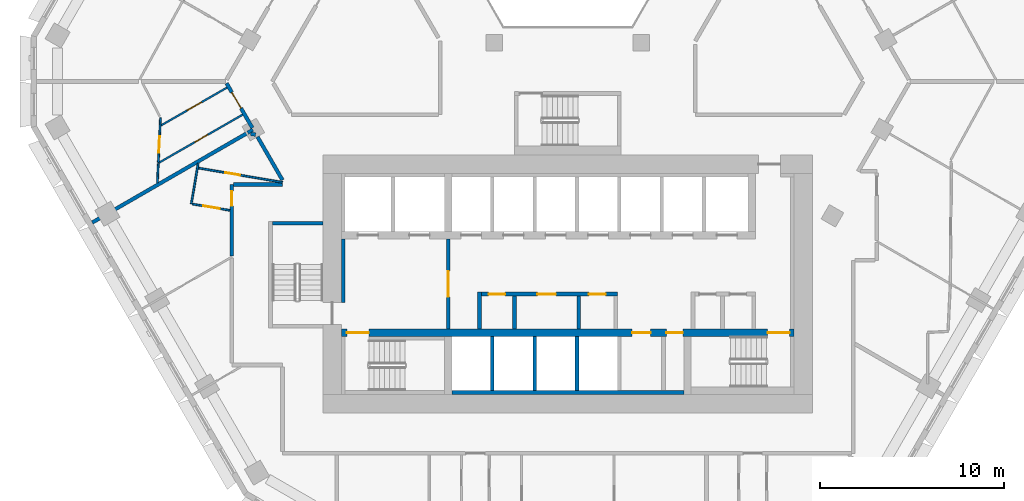
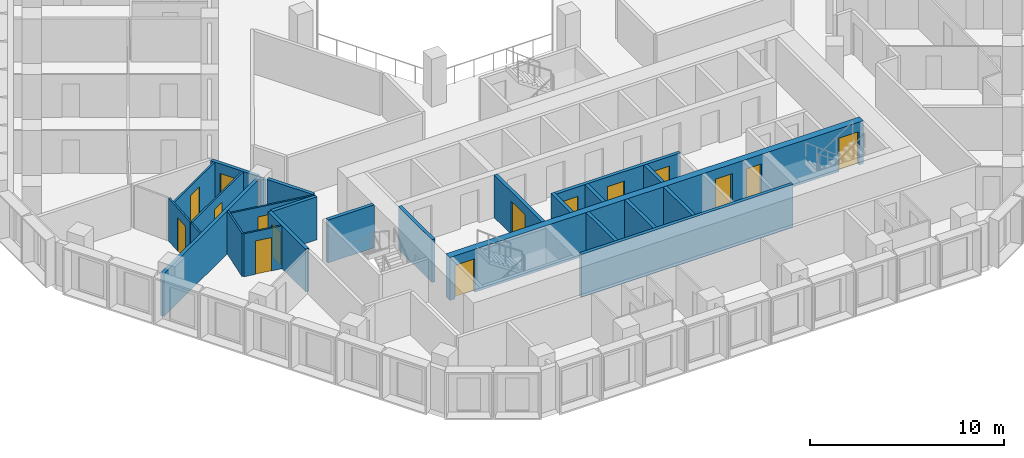
# One storey, part 4 of 18: 26 walls, 15 doors, 15 openings.
"""IFC4 building model written with IfcOpenShell, lengths in metres."""

from ifc_helpers import new_model, si_unit, direction, frame, frame_2d, origin, place, context, subcontext, project, spatial, rectangle, extrude, material, layer, layer_set, type_object, element, fill, save


model = new_model("IFC4")

# Units and contexts
model_context = context("Model", 3, precision=1e-05, world=origin(), true_north=direction((0.0, 1.0)))
body_context = subcontext(model_context, "Body", "Model", "MODEL_VIEW")
ifc_project = project(units=[si_unit("LENGTHUNIT", "METRE"), si_unit("AREAUNIT", "SQUARE_METRE"), si_unit("VOLUMEUNIT", "CUBIC_METRE"), si_unit("PLANEANGLEUNIT", "RADIAN"), si_unit("MASSUNIT", "GRAM", prefix="KILO")], contexts=[model_context])

# Site, building, storey
site_placement = place(None, origin())
site = spatial("IfcSite", under=ifc_project, at=site_placement, CompositionType="ELEMENT")
building_placement = place(site_placement, origin())
building = spatial("IfcBuilding", under=site, at=building_placement, Name="Beryl Residences", CompositionType="ELEMENT")
storey_placement = place(building_placement, frame((0.0, 0.0, 93.0)))
storey = spatial("IfcBuildingStorey", under=building, at=storey_placement, Name="L28", CompositionType="ELEMENT", Elevation=93.0)

# Wall, opening, door
ifc_material_1 = material(Name="Gypsum board partition on steel studs", Category="steel")
ifc_layer_1 = layer(ifc_material_1, 0.10009765625)
ifc_layer_set_1 = layer_set([ifc_layer_1], Name="PT1 partition 100 mm gypsum board on steel studs")
wall_type_1 = type_object("IfcWallType", Name="PT1 partition 100 mm gypsum board on steel studs", PredefinedType="PARTITIONING", material=ifc_layer_set_1)
wall_1_placement = place(storey_placement, frame((-20.071044921875, -5.7041015625, 0.0), z_axis=(0.0, 0.0, 1.0), x_axis=(0.985933263306, -0.16713946364, 0.0)))
wall_1 = element("IfcWall", 1, at=wall_1_placement, inside=storey, type_object=wall_type_1, Name="Wall PT1 L28 013", PredefinedType="PARTITIONING", context=body_context, shape_type="SweptSolid", body=[
    extrude(rectangle(XDim=4.63623046875, YDim=0.10009765625, at=frame_2d((2.318115234375, 0.0))), origin(), (0.0, 0.0, 1.0), 2.699951171875),
])
opening_1_placement = place(wall_1_placement, frame((1.492919921875, 0.0, 0.0)))
opening_1 = element("IfcOpeningElement", 2, at=opening_1_placement, cuts=wall_1, Name="Opening D0702", PredefinedType="OPENING", context=body_context, shape_type="SweptSolid", body=[
    extrude(rectangle(XDim=0.800048828125, YDim=2.10009765625, at=frame_2d((0.39990234375, 1.050048828125))), frame((0.0, 0.06005859375, 0.0), z_axis=(0.0, -1.0, 0.0), x_axis=(1.0, 0.0, 0.0)), (0.0, 0.0, 1.0), 0.1201171875),
])
ifc_material_2 = material(Name="Timber door leaf", Category="wood")
door_type_1 = type_object("IfcDoorType", Name="D3 bathroom door 800 x 2100 mm", OperationType="SINGLE_SWING_LEFT", PredefinedType="DOOR", material=ifc_material_2)
door_1_placement = place(opening_1_placement, origin())
door_1 = element("IfcDoor", 3, at=door_1_placement, inside=storey, type_object=door_type_1, Name="Door D0702 L28 001", OperationType="SINGLE_SWING_RIGHT", OverallHeight=2.10009765625, OverallWidth=0.800048828125, PredefinedType="DOOR", context=body_context, shape_type="SweptSolid", body=[
    extrude(rectangle(XDim=0.800048828125, YDim=2.10009765625, at=frame_2d((0.39990234375, 1.050048828125))), frame((0.0, 0.02490234375, 0.0), z_axis=(0.0, -1.0, 0.0), x_axis=(1.0, 0.0, 0.0)), (0.0, 0.0, 1.0), 0.050048828125),
])
fill(opening_1, door_1)

wall_2_placement = place(storey_placement, frame((-20.40087890625, -7.656982421875, 0.0), z_axis=(0.0, 0.0, 1.0), x_axis=(0.985991281902, -0.166796858522, 0.0)))
wall_2 = element("IfcWall", 4, at=wall_2_placement, inside=storey, type_object=wall_type_1, Name="Wall PT1 L28 014", PredefinedType="PARTITIONING", context=body_context, shape_type="SweptSolid", body=[
    extrude(rectangle(XDim=2.079833984375, YDim=0.10009765625, at=frame_2d((1.0400390625, 0.0))), origin(), (0.0, 0.0, 1.0), 2.699951171875),
])
opening_2_placement = place(wall_2_placement, frame((0.615966796875, 0.0, 0.0)))
opening_2 = element("IfcOpeningElement", 5, at=opening_2_placement, cuts=wall_2, Name="Opening D0703", PredefinedType="OPENING", context=body_context, shape_type="SweptSolid", body=[
    extrude(rectangle(XDim=0.89990234375, YDim=2.10009765625, at=frame_2d((0.449951171875, 1.050048828125))), frame((0.0, 0.06005859375, 0.0), z_axis=(0.0, -1.0, 0.0), x_axis=(1.0, 0.0, 0.0)), (0.0, 0.0, 1.0), 0.1201171875),
])
ifc_material_3 = material(Name="Timber door leaf", Category="wood")
door_type_2 = type_object("IfcDoorType", Name="D2 room door 900 x 2100 mm", OperationType="SINGLE_SWING_LEFT", PredefinedType="DOOR", material=ifc_material_3)
door_2_placement = place(opening_2_placement, origin())
door_2 = element("IfcDoor", 6, at=door_2_placement, inside=storey, type_object=door_type_2, Name="Door D0703 L28 001", OperationType="SINGLE_SWING_LEFT", OverallHeight=2.10009765625, OverallWidth=0.89990234375, PredefinedType="DOOR", context=body_context, shape_type="SweptSolid", body=[
    extrude(rectangle(XDim=0.89990234375, YDim=2.10009765625, at=frame_2d((0.449951171875, 1.050048828125))), frame((0.0, 0.02490234375, 0.0), z_axis=(0.0, -1.0, 0.0), x_axis=(1.0, 0.0, 0.0)), (0.0, 0.0, 1.0), 0.050048828125),
])
fill(opening_2, door_2)

# Wall
wall_3_placement = place(storey_placement, frame((-20.450927734375, -7.64697265625, 0.0), z_axis=(0.0, 0.0, 1.0), x_axis=(0.167037570483, 0.985950531237, 0.0)))
element("IfcWall", 7, at=wall_3_placement, inside=storey, type_object=wall_type_1, Name="Wall PT1 L28 035", PredefinedType="PARTITIONING", context=body_context, shape_type="SweptSolid", body=[
    extrude(rectangle(XDim=2.22021484375, YDim=0.10009765625, at=frame_2d((1.110107421875, 0.0))), origin(), (0.0, 0.0, 1.0), 2.699951171875),
])

# Wall, opening, door
wall_4_placement = place(storey_placement, frame((-22.242919921875, -5.39501953125, 0.0), z_axis=(0.0, 0.0, 1.0), x_axis=(0.049092933256, 0.998794214993, 0.0)))
wall_4 = element("IfcWall", 8, at=wall_4_placement, inside=storey, type_object=wall_type_1, Name="Wall PT1 L28 037", PredefinedType="PARTITIONING", context=body_context, shape_type="SweptSolid", body=[
    extrude(rectangle(XDim=2.421875, YDim=0.10009765625, at=frame_2d((1.2109375, 0.0))), origin(), (0.0, 0.0, 1.0), 2.699951171875),
])
opening_3_placement = place(wall_4_placement, frame((0.52197265625, 0.0, 0.0)))
opening_3 = element("IfcOpeningElement", 9, at=opening_3_placement, cuts=wall_4, Name="Opening D0758", PredefinedType="OPENING", context=body_context, shape_type="SweptSolid", body=[
    extrude(rectangle(XDim=0.89990234375, YDim=2.10009765625, at=frame_2d((0.449951171875, 1.050048828125))), frame((0.0, 0.06005859375, 0.0), z_axis=(0.0, -1.0, 0.0), x_axis=(1.0, 0.0, 0.0)), (0.0, 0.0, 1.0), 0.1201171875),
])
door_3_placement = place(opening_3_placement, origin())
door_3 = element("IfcDoor", 10, at=door_3_placement, inside=storey, type_object=door_type_2, Name="Door D0758 L28 001", OperationType="SINGLE_SWING_RIGHT", OverallHeight=2.10009765625, OverallWidth=0.89990234375, PredefinedType="DOOR", context=body_context, shape_type="SweptSolid", body=[
    extrude(rectangle(XDim=0.89990234375, YDim=2.10009765625, at=frame_2d((0.449951171875, 1.050048828125))), frame((0.0, 0.02490234375, 0.0), z_axis=(0.0, -1.0, 0.0), x_axis=(1.0, 0.0, 0.0)), (0.0, 0.0, 1.0), 0.050048828125),
])
fill(opening_3, door_3)

# Wall
wall_5_placement = place(storey_placement, frame((-22.2919921875, -6.50390625, 0.0), z_axis=(0.0, 0.0, 1.0), x_axis=(0.04434829575, 0.999016130332, 0.0)))
element("IfcWall", 11, at=wall_5_placement, inside=storey, type_object=wall_type_1, Name="Wall PT1 L28 038", PredefinedType="PARTITIONING", context=body_context, shape_type="SweptSolid", body=[
    extrude(rectangle(XDim=1.034912109375, YDim=0.10009765625, at=frame_2d((0.517578125, 0.0))), origin(), (0.0, 0.0, 1.0), 2.699951171875),
])

# Wall, opening, door
wall_6_placement = place(storey_placement, frame((-22.2451171875, -5.43505859375, 0.0), z_axis=(0.0, 0.0, 1.0), x_axis=(0.867311485465, 0.497765795511, 0.0)))
wall_6 = element("IfcWall", 12, at=wall_6_placement, inside=storey, type_object=wall_type_1, Name="Wall PT1 L28 055", PredefinedType="PARTITIONING", context=body_context, shape_type="SweptSolid", body=[
    extrude(rectangle(XDim=5.281982421875, YDim=0.10009765625, at=frame_2d((2.64111328125, 0.0))), origin(), (0.0, 0.0, 1.0), 2.699951171875),
])
opening_4_placement = place(wall_6_placement, frame((2.291015625, 0.0, 0.0)))
opening_4 = element("IfcOpeningElement", 13, at=opening_4_placement, cuts=wall_6, Name="Opening D0756", PredefinedType="OPENING", context=body_context, shape_type="SweptSolid", body=[
    extrude(rectangle(XDim=0.800048828125, YDim=2.10009765625, at=frame_2d((0.39990234375, 1.050048828125))), frame((0.0, 0.06005859375, 0.0), z_axis=(0.0, -1.0, 0.0), x_axis=(1.0, 0.0, 0.0)), (0.0, 0.0, 1.0), 0.1201171875),
])
door_4_placement = place(opening_4_placement, origin())
door_4 = element("IfcDoor", 14, at=door_4_placement, inside=storey, type_object=door_type_1, Name="Door D0756 L28 001", OperationType="SINGLE_SWING_RIGHT", OverallHeight=2.10009765625, OverallWidth=0.800048828125, PredefinedType="DOOR", context=body_context, shape_type="SweptSolid", body=[
    extrude(rectangle(XDim=0.800048828125, YDim=2.10009765625, at=frame_2d((0.39990234375, 1.050048828125))), frame((0.0, 0.02490234375, 0.0), z_axis=(0.0, -1.0, 0.0), x_axis=(1.0, 0.0, 0.0)), (0.0, 0.0, 1.0), 0.050048828125),
])
fill(opening_4, door_4)

wall_7_placement = place(storey_placement, frame((-22.093994140625, -3.387939453125, 0.0), z_axis=(0.0, 0.0, 1.0), x_axis=(0.867386440944, 0.497635169644, 0.0)))
wall_7 = element("IfcWall", 15, at=wall_7_placement, inside=storey, type_object=wall_type_1, Name="Wall PT1 L28 057", PredefinedType="PARTITIONING", context=body_context, shape_type="SweptSolid", body=[
    extrude(rectangle(XDim=4.12744140625, YDim=0.10009765625, at=frame_2d((2.063720703125, 0.0))), origin(), (0.0, 0.0, 1.0), 2.699951171875),
])
opening_5_placement = place(wall_7_placement, frame((1.634033203125, 0.0, 0.0)))
opening_5 = element("IfcOpeningElement", 16, at=opening_5_placement, cuts=wall_7, Name="Opening D0757", PredefinedType="OPENING", context=body_context, shape_type="SweptSolid", body=[
    extrude(rectangle(XDim=0.89990234375, YDim=2.10009765625, at=frame_2d((0.449951171875, 1.050048828125))), frame((0.0, 0.06005859375, 0.0), z_axis=(0.0, -1.0, 0.0), x_axis=(1.0, 0.0, 0.0)), (0.0, 0.0, 1.0), 0.1201171875),
])
door_5_placement = place(opening_5_placement, origin())
door_5 = element("IfcDoor", 17, at=door_5_placement, inside=storey, type_object=door_type_2, Name="Door D0757 L28 001", OperationType="SINGLE_SWING_LEFT", OverallHeight=2.10009765625, OverallWidth=0.89990234375, PredefinedType="DOOR", context=body_context, shape_type="SweptSolid", body=[
    extrude(rectangle(XDim=0.89990234375, YDim=2.10009765625, at=frame_2d((0.449951171875, 1.050048828125))), frame((0.0, 0.02490234375, 0.0), z_axis=(0.0, -1.0, 0.0), x_axis=(1.0, 0.0, 0.0)), (0.0, 0.0, 1.0), 0.050048828125),
])
fill(opening_5, door_5)

# Wall
ifc_material_4 = material(Name="Concrete masonry", Category="masonry")
ifc_layer_2 = layer(ifc_material_4, 0.199951171875)
ifc_layer_set_2 = layer_set([ifc_layer_2], Name="PT13 lobby wall 200 mm")
wall_type_2 = type_object("IfcWallType", Name="PT13 lobby wall 200 mm", PredefinedType="PARTITIONING", material=ifc_layer_set_2)
wall_8_placement = place(storey_placement, frame((-12.199951171875, -13.0, 0.0), z_axis=(0.0, 0.0, 1.0), x_axis=(0.0, 1.0, 0.0)))
element("IfcWall", 18, at=wall_8_placement, inside=storey, type_object=wall_type_2, Name="Lobby wall 05", PredefinedType="PARTITIONING", context=body_context, shape_type="SweptSolid", body=[
    extrude(rectangle(XDim=3.449951171875, YDim=0.199951171875, at=frame_2d((1.72509765625, 0.0))), origin(), (0.0, 0.0, 1.0), 2.699951171875),
])

# Wall, opening, door
wall_9_placement = place(storey_placement, frame((-6.5, -14.449951171875, 0.0), z_axis=(0.0, 0.0, 1.0), x_axis=(0.0, 1.0, 0.0)))
wall_9 = element("IfcWall", 19, at=wall_9_placement, inside=storey, type_object=wall_type_2, Name="Lobby wall 11", PredefinedType="PARTITIONING", context=body_context, shape_type="SweptSolid", body=[
    extrude(rectangle(XDim=4.89990234375, YDim=0.199951171875, at=frame_2d((2.449951171875, 0.0))), origin(), (0.0, 0.0, 1.0), 2.699951171875),
])
opening_6_placement = place(wall_9_placement, frame((3.14990234375, 0.0, 0.0), z_axis=(0.0, 0.0, 1.0), x_axis=(-1.0, 0.0, 0.0)))
opening_6 = element("IfcOpeningElement", 20, at=opening_6_placement, cuts=wall_9, Name="Opening FD-FFL", PredefinedType="OPENING", context=body_context, shape_type="SweptSolid", body=[
    extrude(rectangle(XDim=1.39990234375, YDim=2.10009765625, at=frame_2d((0.699951171875, 1.050048828125))), frame((0.0, 0.10986328125, 0.0), z_axis=(0.0, -1.0, 0.0), x_axis=(1.0, 0.0, 0.0)), (0.0, 0.0, 1.0), 0.219970703125),
])
ifc_material_5 = material(Name="Steel door leaf in steel frame", Category="steel")
door_type_3 = type_object("IfcDoorType", Name="D5 lobby door 1400 x 2100 mm", OperationType="DOUBLE_DOOR_SINGLE_SWING", PredefinedType="DOOR", material=ifc_material_5)
door_6_placement = place(opening_6_placement, origin())
door_6 = element("IfcDoor", 21, at=door_6_placement, inside=storey, type_object=door_type_3, Name="Door FD-FFL L28 001", OperationType="DOUBLE_DOOR_SINGLE_SWING", OverallHeight=2.10009765625, OverallWidth=1.39990234375, PredefinedType="DOOR", context=body_context, shape_type="SweptSolid", body=[
    extrude(rectangle(XDim=1.39990234375, YDim=2.10009765625, at=frame_2d((0.699951171875, 1.050048828125))), frame((0.0, 0.02490234375, 0.0), z_axis=(0.0, -1.0, 0.0), x_axis=(1.0, 0.0, 0.0)), (0.0, 0.0, 1.0), 0.050048828125),
])
fill(opening_6, door_6)

# Wall
wall_10_placement = place(storey_placement, frame((-4.800048828125, -14.449951171875, 0.0), z_axis=(0.0, 0.0, 1.0), x_axis=(0.0, 1.0, 0.0)))
element("IfcWall", 22, at=wall_10_placement, inside=storey, type_object=wall_type_2, Name="Lobby wall 14", PredefinedType="PARTITIONING", context=body_context, shape_type="SweptSolid", body=[
    extrude(rectangle(XDim=2.0, YDim=0.199951171875, at=frame_2d((1.0, 0.0))), origin(), (0.0, 0.0, 1.0), 2.699951171875),
])

# Wall, openings, doors
wall_11_placement = place(storey_placement, frame((-4.699951171875, -12.550048828125, 0.0), z_axis=(0.0, 0.0, 1.0), x_axis=(1.0, 0.0, 0.0)))
wall_11 = element("IfcWall", 23, at=wall_11_placement, inside=storey, type_object=wall_type_2, Name="Lobby wall 15", PredefinedType="PARTITIONING", context=body_context, shape_type="SweptSolid", body=[
    extrude(rectangle(XDim=7.39990234375, YDim=0.199951171875, at=frame_2d((3.699951171875, 0.0))), origin(), (0.0, 0.0, 1.0), 2.699951171875),
])
opening_7_placement = place(wall_11_placement, frame((1.2998046875, 0.0, 0.0), z_axis=(0.0, 0.0, 1.0), x_axis=(-1.0, 0.0, 0.0)))
opening_7 = element("IfcOpeningElement", 24, at=opening_7_placement, cuts=wall_11, Name="Opening CD-D-A1-900", PredefinedType="OPENING", context=body_context, shape_type="SweptSolid", body=[
    extrude(rectangle(XDim=0.89990234375, YDim=2.10009765625, at=frame_2d((0.449951171875, 1.050048828125))), frame((0.0, 0.10986328125, 0.0), z_axis=(0.0, -1.0, 0.0), x_axis=(1.0, 0.0, 0.0)), (0.0, 0.0, 1.0), 0.219970703125),
])
opening_8_placement = place(wall_11_placement, frame((4.050048828125, 0.0, 0.0), z_axis=(0.0, 0.0, 1.0), x_axis=(-1.0, 0.0, 0.0)))
opening_8 = element("IfcOpeningElement", 25, at=opening_8_placement, cuts=wall_11, Name="Opening CD-D-A2", PredefinedType="OPENING", context=body_context, shape_type="SweptSolid", body=[
    extrude(rectangle(XDim=1.0, YDim=2.10009765625, at=frame_2d((0.5, 1.050048828125))), frame((0.0, 0.10986328125, 0.0), z_axis=(0.0, -1.0, 0.0), x_axis=(1.0, 0.0, 0.0)), (0.0, 0.0, 1.0), 0.219970703125),
])
opening_9_placement = place(wall_11_placement, frame((6.75, 0.0, 0.0), z_axis=(0.0, 0.0, 1.0), x_axis=(-1.0, 0.0, 0.0)))
opening_9 = element("IfcOpeningElement", 26, at=opening_9_placement, cuts=wall_11, Name="Opening CD-D-A3-900", PredefinedType="OPENING", context=body_context, shape_type="SweptSolid", body=[
    extrude(rectangle(XDim=0.89990234375, YDim=2.10009765625, at=frame_2d((0.449951171875, 1.050048828125))), frame((0.0, 0.10986328125, 0.0), z_axis=(0.0, -1.0, 0.0), x_axis=(1.0, 0.0, 0.0)), (0.0, 0.0, 1.0), 0.219970703125),
])
ifc_material_6 = material(Name="Steel door leaf in steel frame", Category="steel")
door_type_4 = type_object("IfcDoorType", Name="D18 service room door 1000 x 2100 mm", OperationType="SINGLE_SWING_LEFT", PredefinedType="DOOR", material=ifc_material_6)
door_7_placement = place(opening_8_placement, origin())
door_7 = element("IfcDoor", 27, at=door_7_placement, inside=storey, type_object=door_type_4, Name="Door CD-D-A2 L28 001", OperationType="SINGLE_SWING_LEFT", OverallHeight=2.10009765625, OverallWidth=1.0, PredefinedType="DOOR", context=body_context, shape_type="SweptSolid", body=[
    extrude(rectangle(XDim=1.0, YDim=2.10009765625, at=frame_2d((0.5, 1.050048828125))), frame((0.0, 0.02490234375, 0.0), z_axis=(0.0, -1.0, 0.0), x_axis=(1.0, 0.0, 0.0)), (0.0, 0.0, 1.0), 0.050048828125),
])
fill(opening_8, door_7)
ifc_material_7 = material(Name="Steel door leaf in steel frame", Category="steel")
door_type_5 = type_object("IfcDoorType", Name="D6 service room door 900 x 2100 mm", OperationType="SINGLE_SWING_LEFT", PredefinedType="DOOR", material=ifc_material_7)
door_8_placement = place(opening_7_placement, origin())
door_8 = element("IfcDoor", 28, at=door_8_placement, inside=storey, type_object=door_type_5, Name="Door CD-D-A1-900 L28 001", OperationType="SINGLE_SWING_RIGHT", OverallHeight=2.10009765625, OverallWidth=0.89990234375, PredefinedType="DOOR", context=body_context, shape_type="SweptSolid", body=[
    extrude(rectangle(XDim=0.89990234375, YDim=2.10009765625, at=frame_2d((0.449951171875, 1.050048828125))), frame((0.0, 0.02490234375, 0.0), z_axis=(0.0, -1.0, 0.0), x_axis=(1.0, 0.0, 0.0)), (0.0, 0.0, 1.0), 0.050048828125),
])
fill(opening_7, door_8)
door_9_placement = place(opening_9_placement, origin())
door_9 = element("IfcDoor", 29, at=door_9_placement, inside=storey, type_object=door_type_5, Name="Door CD-D-A3-900 L28 001", OperationType="SINGLE_SWING_RIGHT", OverallHeight=2.10009765625, OverallWidth=0.89990234375, PredefinedType="DOOR", context=body_context, shape_type="SweptSolid", body=[
    extrude(rectangle(XDim=0.89990234375, YDim=2.10009765625, at=frame_2d((0.449951171875, 1.050048828125))), frame((0.0, 0.02490234375, 0.0), z_axis=(0.0, -1.0, 0.0), x_axis=(1.0, 0.0, 0.0)), (0.0, 0.0, 1.0), 0.050048828125),
])
fill(opening_9, door_9)

# Walls
ifc_material_8 = material(Name="Acoustic double stud gypsum board wall")
ifc_layer_3 = layer(ifc_material_8, 0.199951171875)
ifc_layer_set_3 = layer_set([ifc_layer_3], Name="PT3 party wall 200 mm acoustic double stud")
wall_type_3 = type_object("IfcWallType", Name="PT3 party wall 200 mm acoustic double stud", PredefinedType="PARTITIONING", material=ifc_layer_set_3)
wall_12_placement = place(storey_placement, frame((-17.22412109375, -3.843994140625, 0.0), z_axis=(0.0, 0.0, 1.0), x_axis=(0.986049492372, -0.166452391373, 0.0)))
element("IfcWall", 30, at=wall_12_placement, inside=storey, type_object=wall_type_3, Name="Wall PT3 L28 004", PredefinedType="PARTITIONING", context=body_context, shape_type="SweptSolid", body=[
    extrude(rectangle(XDim=0.269775390625, YDim=0.199951171875, at=frame_2d((0.134765625, 0.0))), origin(), (0.0, 0.0, 1.0), 2.699951171875),
])
wall_13_placement = place(storey_placement, frame((-25.830078125, -8.662109375, 0.0), z_axis=(0.0, 0.0, 1.0), x_axis=(0.866026801646, 0.499997578825, 0.0)))
element("IfcWall", 31, at=wall_13_placement, inside=storey, type_object=wall_type_3, Name="Wall PT3 L28 017", PredefinedType="PARTITIONING", context=body_context, shape_type="SweptSolid", body=[
    extrude(rectangle(XDim=9.7041015625, YDim=0.199951171875, at=frame_2d((4.85205078125, 0.0))), origin(), (0.0, 0.0, 1.0), 2.699951171875),
])
wall_14_placement = place(storey_placement, frame((-17.385009765625, -3.785888671875, 0.0), z_axis=(0.0, 0.0, 1.0), x_axis=(0.86668269741, 0.498859801958, 0.0)))
element("IfcWall", 32, at=wall_14_placement, inside=storey, type_object=wall_type_3, Name="Wall PT3 L28 018", PredefinedType="PARTITIONING", context=body_context, shape_type="SweptSolid", body=[
    extrude(rectangle(XDim=0.318603515625, YDim=0.199951171875, at=frame_2d((0.1591796875, 0.0))), origin(), (0.0, 0.0, 1.0), 2.699951171875),
])

# Wall, opening, door
ifc_material_9 = material(Name="Double stud gypsum board wall")
ifc_layer_4 = layer(ifc_material_9, 0.199951171875)
ifc_layer_set_4 = layer_set([ifc_layer_4], Name="PT4 corridor wall 200 mm double stud")
wall_type_4 = type_object("IfcWallType", Name="PT4 corridor wall 200 mm double stud", PredefinedType="PARTITIONING", material=ifc_layer_set_4)
wall_15_placement = place(storey_placement, frame((-18.532958984375, -1.10107421875, 0.0), z_axis=(0.0, 0.0, 1.0), x_axis=(0.500135180047, -0.865947343479, 0.0)))
wall_15 = element("IfcWall", 33, at=wall_15_placement, inside=storey, type_object=wall_type_4, Name="Wall PT4 L28 003", PredefinedType="PARTITIONING", context=body_context, shape_type="SweptSolid", body=[
    extrude(rectangle(XDim=2.799072265625, YDim=0.199951171875, at=frame_2d((1.3994140625, 0.0))), origin(), (0.0, 0.0, 1.0), 2.699951171875),
])
opening_10_placement = place(wall_15_placement, frame((0.56201171875, 0.0, 0.0)))
opening_10 = element("IfcOpeningElement", 34, at=opening_10_placement, cuts=wall_15, Name="Opening D0755", PredefinedType="OPENING", context=body_context, shape_type="SweptSolid", body=[
    extrude(rectangle(XDim=1.0, YDim=2.10009765625, at=frame_2d((0.5, 1.050048828125))), frame((0.0, 0.10986328125, 0.0), z_axis=(0.0, -1.0, 0.0), x_axis=(1.0, 0.0, 0.0)), (0.0, 0.0, 1.0), 0.219970703125),
])
ifc_material_10 = material(Name="Timber door leaf", Category="wood")
door_type_6 = type_object("IfcDoorType", Name="D1 flat entrance door 1000 x 2100 mm", OperationType="SINGLE_SWING_LEFT", PredefinedType="DOOR", material=ifc_material_10)
door_10_placement = place(opening_10_placement, origin())
door_10 = element("IfcDoor", 35, at=door_10_placement, inside=storey, type_object=door_type_6, Name="Door D0755 L28 001", OperationType="SINGLE_SWING_LEFT", OverallHeight=2.10009765625, OverallWidth=1.0, PredefinedType="DOOR", context=body_context, shape_type="SweptSolid", body=[
    extrude(rectangle(XDim=1.0, YDim=2.10009765625, at=frame_2d((0.5, 1.050048828125))), frame((0.0, 0.02490234375, 0.0), z_axis=(0.0, -1.0, 0.0), x_axis=(1.0, 0.0, 0.0)), (0.0, 0.0, 1.0), 0.050048828125),
])
fill(opening_10, door_10)

# Walls
wall_16_placement = place(storey_placement, frame((-16.85498046875, -4.008056640625, 0.0), z_axis=(0.0, 0.0, 1.0), x_axis=(0.500151474942, -0.865937932021, 0.0)))
element("IfcWall", 36, at=wall_16_placement, inside=storey, type_object=wall_type_4, Name="Wall PT4 L28 004", PredefinedType="PARTITIONING", context=body_context, shape_type="SweptSolid", body=[
    extrude(rectangle(XDim=2.709228515625, YDim=0.199951171875, at=frame_2d((1.3544921875, 0.0))), origin(), (0.0, 0.0, 1.0), 2.699951171875),
])
wall_17_placement = place(storey_placement, frame((-18.14990234375, -6.60009765625, 0.0), z_axis=(0.0, 0.0, 1.0), x_axis=(1.0, 0.0, 0.0)))
element("IfcWall", 37, at=wall_17_placement, inside=storey, type_object=wall_type_4, Name="Wall PT4 L28 013", PredefinedType="PARTITIONING", context=body_context, shape_type="SweptSolid", body=[
    extrude(rectangle(XDim=2.64892578125, YDim=0.199951171875, at=frame_2d((1.324462890625, 0.0))), origin(), (0.0, 0.0, 1.0), 2.699951171875),
])

# Wall, opening, door
wall_18_placement = place(storey_placement, frame((-18.25, -10.47900390625, 0.0), z_axis=(0.0, 0.0, 1.0), x_axis=(0.0, 1.0, 0.0)))
wall_18 = element("IfcWall", 38, at=wall_18_placement, inside=storey, type_object=wall_type_4, Name="Wall PT4 L28 033", PredefinedType="PARTITIONING", context=body_context, shape_type="SweptSolid", body=[
    extrude(rectangle(XDim=3.87890625, YDim=0.199951171875, at=frame_2d((1.939453125, 0.0))), origin(), (0.0, 0.0, 1.0), 2.699951171875),
])
opening_11_placement = place(wall_18_placement, frame((2.72412109375, 0.0, 0.0)))
opening_11 = element("IfcOpeningElement", 39, at=opening_11_placement, cuts=wall_18, Name="Opening D0701", PredefinedType="OPENING", context=body_context, shape_type="SweptSolid", body=[
    extrude(rectangle(XDim=0.800048828125, YDim=2.10009765625, at=frame_2d((0.39990234375, 1.050048828125))), frame((0.0, 0.10986328125, 0.0), z_axis=(0.0, -1.0, 0.0), x_axis=(1.0, 0.0, 0.0)), (0.0, 0.0, 1.0), 0.219970703125),
])
ifc_material_11 = material(Name="Timber door leaf", Category="wood")
door_type_7 = type_object("IfcDoorType", Name="D12 flat entrance door 800 x 2100 mm", OperationType="SINGLE_SWING_LEFT", PredefinedType="DOOR", material=ifc_material_11)
door_11_placement = place(opening_11_placement, origin())
door_11 = element("IfcDoor", 40, at=door_11_placement, inside=storey, type_object=door_type_7, Name="Door D0701 L28 001", OperationType="SINGLE_SWING_LEFT", OverallHeight=2.10009765625, OverallWidth=0.800048828125, PredefinedType="DOOR", context=body_context, shape_type="SweptSolid", body=[
    extrude(rectangle(XDim=0.800048828125, YDim=2.10009765625, at=frame_2d((0.39990234375, 1.050048828125))), frame((0.0, 0.02490234375, 0.0), z_axis=(0.0, -1.0, 0.0), x_axis=(1.0, 0.0, 0.0)), (0.0, 0.0, 1.0), 0.050048828125),
])
fill(opening_11, door_11)

# Walls
ifc_material_12 = material(Name="Concrete C40/50", Category="concrete")
ifc_layer_5 = layer(ifc_material_12, 0.199951171875)
ifc_layer_set_5 = layer_set([ifc_layer_5], Name="PT5 stair enclosure wall 200 mm reinforced concrete C40/50")
wall_type_5 = type_object("IfcWallType", Name="PT5 stair enclosure wall 200 mm reinforced concrete C40/50", PredefinedType="SOLIDWALL", material=ifc_layer_set_5)
wall_19_placement = place(storey_placement, frame((-16.050048828125, -8.699951171875, 0.0), z_axis=(0.0, 0.0, 1.0), x_axis=(1.0, 0.0, 0.0)))
element("IfcWall", 41, at=wall_19_placement, inside=storey, type_object=wall_type_5, Name="Stair wall 03", PredefinedType="SOLIDWALL", context=body_context, shape_type="SweptSolid", body=[
    extrude(rectangle(XDim=2.75, YDim=0.199951171875, at=frame_2d((1.375, 0.0))), origin(), (0.0, 0.0, 1.0), 2.699951171875),
])
ifc_material_13 = material(Name="Concrete C40/50", Category="concrete")
ifc_layer_6 = layer(ifc_material_13, 0.199951171875)
ifc_layer_set_6 = layer_set([ifc_layer_6], Name="PT6 lift shaft wall 200 mm reinforced concrete C40/50")
wall_type_6 = type_object("IfcWallType", Name="PT6 lift shaft wall 200 mm reinforced concrete C40/50", PredefinedType="SOLIDWALL", material=ifc_layer_set_6)
wall_20_placement = place(storey_placement, frame((-6.300048828125, -17.89990234375, 0.0), z_axis=(0.0, 0.0, 1.0), x_axis=(1.0, 0.0, 0.0)))
element("IfcWall", 42, at=wall_20_placement, inside=storey, type_object=wall_type_6, Name="Lift shaft wall 12", PredefinedType="SOLIDWALL", context=body_context, shape_type="SweptSolid", body=[
    extrude(rectangle(XDim=12.60009765625, YDim=0.199951171875, at=frame_2d((6.300048828125, 0.0))), origin(), (0.0, 0.0, 1.0), 2.699951171875),
])
for number, where, z_axis, x_axis, name in (
    (43, (-4.10009765625, -17.800048828125, 0.0), (0.0, 0.0, 1.0), (0.0, 1.0, 0.0), "Lift shaft wall 16"),
    (44, (-1.800048828125, -17.800048828125, 0.0), (0.0, 0.0, 1.0), (0.0, 1.0, 0.0), "Lift shaft wall 19"),
    (45, (0.5, -17.800048828125, 0.0), (0.0, 0.0, 1.0), (0.0, 1.0, 0.0), "Lift shaft wall 21"),
):
    element("IfcWall", number, at=place(storey_placement, frame(where, z_axis=z_axis, x_axis=x_axis)), inside=storey, type_object=wall_type_6, Name=name, PredefinedType="SOLIDWALL", context=body_context, shape_type="SweptSolid", body=[
        extrude(rectangle(XDim=2.949951171875, YDim=0.199951171875, at=frame_2d((1.47509765625, 0.0))), origin(), (0.0, 0.0, 1.0), 2.699951171875),
    ])
ifc_material_14 = material(Name="Concrete masonry", Category="masonry")
ifc_layer_7 = layer(ifc_material_14, 0.199951171875)
ifc_layer_set_7 = layer_set([ifc_layer_7], Name="PT8-200 service room wall 200 mm")
wall_type_7 = type_object("IfcWallType", Name="PT8-200 service room wall 200 mm", PredefinedType="PARTITIONING", material=ifc_layer_set_7)
for number, where, z_axis, x_axis, name in (
    (46, (-2.89990234375, -14.449951171875, 0.0), (0.0, 0.0, 1.0), (0.0, 1.0, 0.0), "Core room wall 18"),
    (47, (0.60009765625, -14.449951171875, 0.0), (0.0, 0.0, 1.0), (0.0, 1.0, 0.0), "Core room wall 23"),
):
    element("IfcWall", number, at=place(storey_placement, frame(where, z_axis=z_axis, x_axis=x_axis)), inside=storey, type_object=wall_type_7, Name=name, PredefinedType="PARTITIONING", context=body_context, shape_type="SweptSolid", body=[
        extrude(rectangle(XDim=1.800048828125, YDim=0.199951171875, at=frame_2d((0.89990234375, 0.0))), origin(), (0.0, 0.0, 1.0), 2.699951171875),
    ])

# Wall, openings, doors
ifc_material_15 = material(Name="Concrete C70/85", Category="concrete")
ifc_layer_8 = layer(ifc_material_15, 0.39990234375)
ifc_layer_set_8 = layer_set([ifc_layer_8], Name="SW7 core internal wall 400 mm C70/85")
wall_type_8 = type_object("IfcWallType", Name="SW7 core internal wall 400 mm C70/85", PredefinedType="SHEAR", material=ifc_layer_set_8)
wall_21_placement = place(storey_placement, frame((-12.300048828125, -14.64990234375, 0.0), z_axis=(0.0, 0.0, 1.0), x_axis=(1.0, 0.0, 0.0)))
wall_21 = element("IfcWall", 48, at=wall_21_placement, inside=storey, type_object=wall_type_8, Name="Core wall SP1 L28", PredefinedType="SHEAR", context=body_context, shape_type="SweptSolid", body=[
    extrude(rectangle(XDim=24.60009765625, YDim=0.39990234375, at=frame_2d((12.300048828125, 0.0))), origin(), (0.0, 0.0, 1.0), 2.699951171875),
])
opening_12_placement = place(wall_21_placement, frame((1.5, 0.0, 0.0), z_axis=(0.0, 0.0, 1.0), x_axis=(-1.0, 0.0, 0.0)))
opening_12 = element("IfcOpeningElement", 49, at=opening_12_placement, cuts=wall_21, Name="Opening SD-1", PredefinedType="OPENING", context=body_context, shape_type="SweptSolid", body=[
    extrude(rectangle(XDim=1.199951171875, YDim=2.10009765625, at=frame_2d((0.60009765625, 1.050048828125))), frame((0.0, 0.2099609375, 0.0), z_axis=(0.0, -1.0, 0.0), x_axis=(1.0, 0.0, 0.0)), (0.0, 0.0, 1.0), 0.419921875),
])
opening_13_placement = place(wall_21_placement, frame((24.349853515625, 0.0, 0.0), z_axis=(0.0, 0.0, 1.0), x_axis=(-1.0, 0.0, 0.0)))
opening_13 = element("IfcOpeningElement", 50, at=opening_13_placement, cuts=wall_21, Name="Opening SD-3", PredefinedType="OPENING", context=body_context, shape_type="SweptSolid", body=[
    extrude(rectangle(XDim=1.199951171875, YDim=2.10009765625, at=frame_2d((0.60009765625, 1.050048828125))), frame((0.0, 0.2099609375, 0.0), z_axis=(0.0, -1.0, 0.0), x_axis=(1.0, 0.0, 0.0)), (0.0, 0.0, 1.0), 0.419921875),
])
opening_14_placement = place(wall_21_placement, frame((16.800048828125, 0.0, 0.0), z_axis=(0.0, 0.0, 1.0), x_axis=(-1.0, 0.0, 0.0)))
opening_14 = element("IfcOpeningElement", 51, at=opening_14_placement, cuts=wall_21, Name="Opening CD-D-S1", PredefinedType="OPENING", context=body_context, shape_type="SweptSolid", body=[
    extrude(rectangle(XDim=1.0, YDim=2.10009765625, at=frame_2d((0.5, 1.050048828125))), frame((0.0, 0.2099609375, 0.0), z_axis=(0.0, -1.0, 0.0), x_axis=(1.0, 0.0, 0.0)), (0.0, 0.0, 1.0), 0.419921875),
])
opening_15_placement = place(wall_21_placement, frame((18.5498046875, 0.0, 0.0), z_axis=(0.0, 0.0, 1.0), x_axis=(-1.0, 0.0, 0.0)))
opening_15 = element("IfcOpeningElement", 52, at=opening_15_placement, cuts=wall_21, Name="Opening RD-D-S2", PredefinedType="OPENING", context=body_context, shape_type="SweptSolid", body=[
    extrude(rectangle(XDim=0.89990234375, YDim=2.10009765625, at=frame_2d((0.449951171875, 1.050048828125))), frame((0.0, 0.2099609375, 0.0), z_axis=(0.0, -1.0, 0.0), x_axis=(1.0, 0.0, 0.0)), (0.0, 0.0, 1.0), 0.419921875),
])
door_12_placement = place(opening_14_placement, origin())
door_12 = element("IfcDoor", 53, at=door_12_placement, inside=storey, type_object=door_type_4, Name="Door CD-D-S1 L28 001", OperationType="SINGLE_SWING_RIGHT", OverallHeight=2.10009765625, OverallWidth=1.0, PredefinedType="DOOR", context=body_context, shape_type="SweptSolid", body=[
    extrude(rectangle(XDim=1.0, YDim=2.10009765625, at=frame_2d((0.5, 1.050048828125))), frame((0.0, 0.02490234375, 0.0), z_axis=(0.0, -1.0, 0.0), x_axis=(1.0, 0.0, 0.0)), (0.0, 0.0, 1.0), 0.050048828125),
])
fill(opening_14, door_12)
ifc_material_16 = material(Name="Steel door leaf in steel frame", Category="steel")
door_type_8 = type_object("IfcDoorType", Name="D23 riser door 900 x 2100 mm", OperationType="SINGLE_SWING_LEFT", PredefinedType="DOOR", material=ifc_material_16)
door_13_placement = place(opening_15_placement, origin())
door_13 = element("IfcDoor", 54, at=door_13_placement, inside=storey, type_object=door_type_8, Name="Door RD-D-S2 L28 001", OperationType="SINGLE_SWING_LEFT", OverallHeight=2.10009765625, OverallWidth=0.89990234375, PredefinedType="DOOR", context=body_context, shape_type="SweptSolid", body=[
    extrude(rectangle(XDim=0.89990234375, YDim=2.10009765625, at=frame_2d((0.449951171875, 1.050048828125))), frame((0.0, 0.02490234375, 0.0), z_axis=(0.0, -1.0, 0.0), x_axis=(1.0, 0.0, 0.0)), (0.0, 0.0, 1.0), 0.050048828125),
])
fill(opening_15, door_13)
ifc_material_17 = material(Name="Steel door leaf in steel frame", Category="steel")
door_type_9 = type_object("IfcDoorType", Name="D4 stair door 1200 x 2100 mm", OperationType="SINGLE_SWING_LEFT", PredefinedType="DOOR", material=ifc_material_17)
door_14_placement = place(opening_12_placement, origin())
door_14 = element("IfcDoor", 55, at=door_14_placement, inside=storey, type_object=door_type_9, Name="Door SD-1 L28 001", OperationType="SINGLE_SWING_RIGHT", OverallHeight=2.10009765625, OverallWidth=1.199951171875, PredefinedType="DOOR", context=body_context, shape_type="SweptSolid", body=[
    extrude(rectangle(XDim=1.199951171875, YDim=2.10009765625, at=frame_2d((0.60009765625, 1.050048828125))), frame((0.0, 0.02490234375, 0.0), z_axis=(0.0, -1.0, 0.0), x_axis=(1.0, 0.0, 0.0)), (0.0, 0.0, 1.0), 0.050048828125),
])
fill(opening_12, door_14)
door_15_placement = place(opening_13_placement, origin())
door_15 = element("IfcDoor", 56, at=door_15_placement, inside=storey, type_object=door_type_9, Name="Door SD-3 L28 001", OperationType="SINGLE_SWING_RIGHT", OverallHeight=2.10009765625, OverallWidth=1.199951171875, PredefinedType="DOOR", context=body_context, shape_type="SweptSolid", body=[
    extrude(rectangle(XDim=1.199951171875, YDim=2.10009765625, at=frame_2d((0.60009765625, 1.050048828125))), frame((0.0, 0.02490234375, 0.0), z_axis=(0.0, -1.0, 0.0), x_axis=(1.0, 0.0, 0.0)), (0.0, 0.0, 1.0), 0.050048828125),
])
fill(opening_13, door_15)

save(model, "model.ifc")
